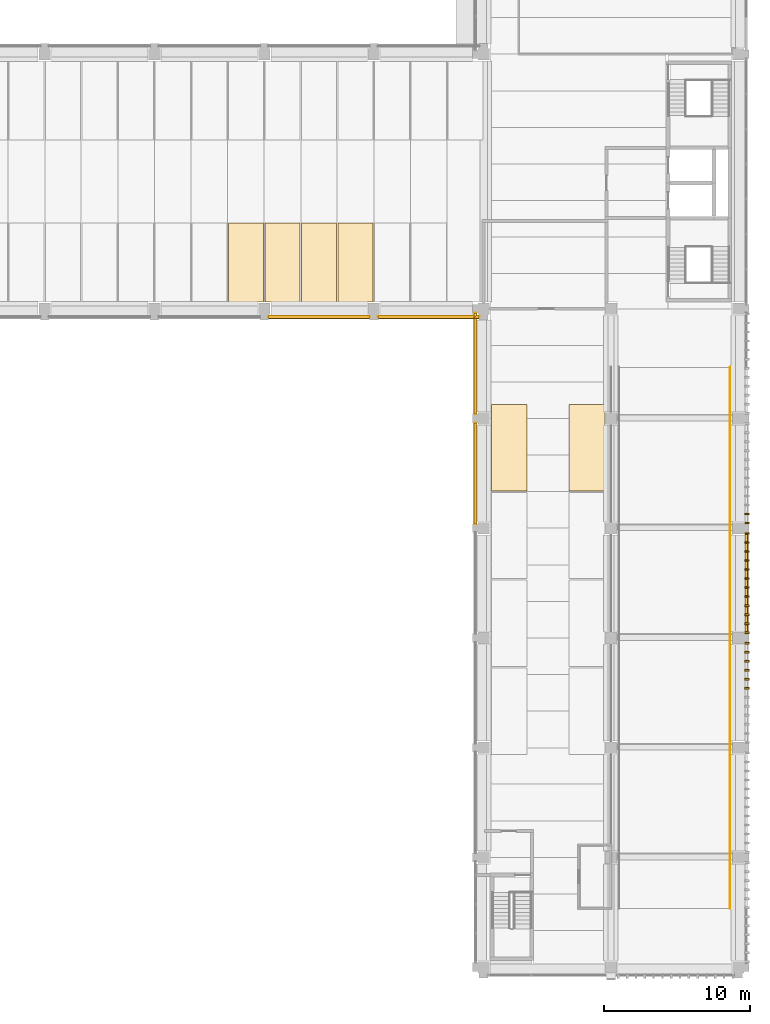
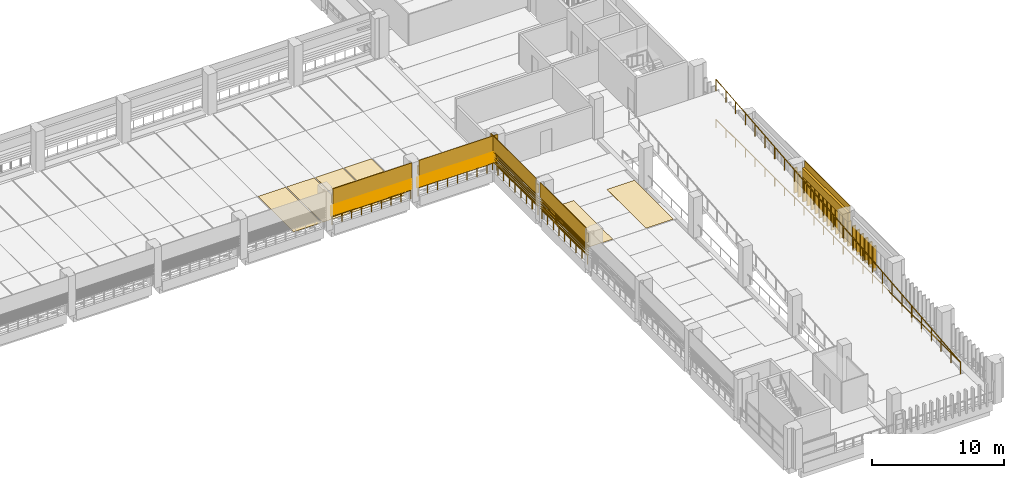
# One storey, part 53 of 61: 31 coverings, 20 shading devices, 6 railings.
"""IFC4 building model written with IfcOpenShell, lengths in metres."""

from ifc_helpers import new_model, si_unit, direction, frame, origin, origin_2d, place, context, subcontext, project, spatial, polyline, circle, outline, extrude, material, layer, layer_set, type_object, element, save


model = new_model("IFC4")

# Units and contexts
model_context = context("Model", 3, precision=1e-05, world=origin(), true_north=direction((0.0, 1.0)))
body_context = subcontext(model_context, "Body", "Model", "MODEL_VIEW")
ifc_project = project(units=[si_unit("LENGTHUNIT", "METRE"), si_unit("AREAUNIT", "SQUARE_METRE"), si_unit("VOLUMEUNIT", "CUBIC_METRE"), si_unit("PLANEANGLEUNIT", "RADIAN"), si_unit("MASSUNIT", "GRAM", prefix="KILO")], contexts=[model_context])

# Site, building, storey
site_placement = place(None, origin())
site = spatial("IfcSite", under=ifc_project, at=site_placement, CompositionType="ELEMENT")
building_placement = place(site_placement, origin())
building = spatial("IfcBuilding", under=site, at=building_placement, Name="Cour d'Honneur Mobility Palace", CompositionType="ELEMENT")
storey_placement = place(building_placement, frame((0.0, 0.0, 11.89990234375)))
storey = spatial("IfcBuildingStorey", under=building, at=storey_placement, Name="L03", CompositionType="ELEMENT", Elevation=11.89990234375)

# Railings
ifc_material_1 = material(Name="Painted steel", Category="steel")
railing_type_1 = type_object("IfcRailingType", Name="Balustrade", PredefinedType="BALUSTRADE", material=ifc_material_1)
for number, where, name in (
    (1, (130.199951171875, 44.449951171875, 0.300048828125), "Balustrade BAL-151"),
    (2, (137.699951171875, 44.449951171875, 0.300048828125), "Balustrade BAL-152"),
):
    element("IfcRailing", number, at=place(storey_placement, frame(where)), inside=storey, type_object=railing_type_1, Name=name, PredefinedType="BALUSTRADE", context=body_context, shape_type="SweptSolid", body=[
        extrude(circle(Radius=0.02392578125, at=origin_2d()), frame((0.0, 0.0, 0.77587890625), z_axis=(1.0, 0.0, 0.0), x_axis=(0.0, 1.0, 0.0)), (0.0, 0.0, 1.0), 6.900146484375),
        extrude(circle(Radius=0.02099609375, at=origin_2d()), origin(), (0.0, 0.0, 1.0), 0.751953125),
        extrude(circle(Radius=0.02099609375, at=origin_2d()), frame((0.862548828125, 0.0, 0.0)), (0.0, 0.0, 1.0), 0.751953125),
        extrude(circle(Radius=0.02099609375, at=origin_2d()), frame((1.72509765625, 0.0, 0.0)), (0.0, 0.0, 1.0), 0.751953125),
        extrude(circle(Radius=0.02099609375, at=origin_2d()), frame((2.587646484375, 0.0, 0.0)), (0.0, 0.0, 1.0), 0.751953125),
        extrude(circle(Radius=0.02099609375, at=origin_2d()), frame((3.4501953125, 0.0, 0.0)), (0.0, 0.0, 1.0), 0.751953125),
        extrude(circle(Radius=0.02099609375, at=origin_2d()), frame((4.3125, 0.0, 0.0)), (0.0, 0.0, 1.0), 0.751953125),
        extrude(circle(Radius=0.02099609375, at=origin_2d()), frame((5.175048828125, 0.0, 0.0)), (0.0, 0.0, 1.0), 0.751953125),
        extrude(circle(Radius=0.02099609375, at=origin_2d()), frame((6.03759765625, 0.0, 0.0)), (0.0, 0.0, 1.0), 0.751953125),
        extrude(circle(Radius=0.02099609375, at=origin_2d()), frame((6.900146484375, 0.0, 0.0)), (0.0, 0.0, 1.0), 0.751953125),
    ])
for number, where, name in (
    (3, (144.35009765625, 44.699951171875, 0.300048828125), "Balustrade BAL-153"),
    (4, (144.35009765625, 37.199951171875, 0.300048828125), "Balustrade BAL-154"),
):
    element("IfcRailing", number, at=place(storey_placement, frame(where)), inside=storey, type_object=railing_type_1, Name=name, PredefinedType="BALUSTRADE", context=body_context, shape_type="SweptSolid", body=[
        extrude(circle(Radius=0.02392578125, at=origin_2d()), frame((0.0, 0.0, 0.77587890625), z_axis=(0.0, -1.0, 0.0), x_axis=(1.0, 0.0, 0.0)), (0.0, 0.0, 1.0), 6.89990234375),
        extrude(circle(Radius=0.02099609375, at=origin_2d()), origin(), (0.0, 0.0, 1.0), 0.751953125),
        extrude(circle(Radius=0.02099609375, at=origin_2d()), frame((0.0, -0.862548828125, 0.0)), (0.0, 0.0, 1.0), 0.751953125),
        extrude(circle(Radius=0.02099609375, at=origin_2d()), frame((0.0, -1.72509765625, 0.0)), (0.0, 0.0, 1.0), 0.751953125),
        extrude(circle(Radius=0.02099609375, at=origin_2d()), frame((0.0, -2.58740234375, 0.0)), (0.0, 0.0, 1.0), 0.751953125),
        extrude(circle(Radius=0.02099609375, at=origin_2d()), frame((0.0, -3.449951171875, 0.0)), (0.0, 0.0, 1.0), 0.751953125),
        extrude(circle(Radius=0.02099609375, at=origin_2d()), frame((0.0, -4.3125, 0.0)), (0.0, 0.0, 1.0), 0.751953125),
        extrude(circle(Radius=0.02099609375, at=origin_2d()), frame((0.0, -5.1748046875, 0.0)), (0.0, 0.0, 1.0), 0.751953125),
        extrude(circle(Radius=0.02099609375, at=origin_2d()), frame((0.0, -6.037353515625, 0.0)), (0.0, 0.0, 1.0), 0.751953125),
        extrude(circle(Radius=0.02099609375, at=origin_2d()), frame((0.0, -6.89990234375, 0.0)), (0.0, 0.0, 1.0), 0.751953125),
    ])

# Coverings
ifc_material_2 = material(Name="Parking marking paint")
ifc_layer_1 = layer(ifc_material_2, 0.0048828125)
ifc_layer_set_1 = layer_set([ifc_layer_1], Name="Parking marking paint")
covering_type_1 = type_object("IfcCoveringType", Name="Parking bay marking", PredefinedType="FLOORING", material=ifc_layer_set_1)
covering_1_placement = place(storey_placement, origin())
element("IfcCovering", 5, at=covering_1_placement, inside=storey, type_object=covering_type_1, Name="Parking bay marking L03 67", PredefinedType="FLOORING", context=body_context, shape_type="SweptSolid", body=[
    extrude(outline(polyline([(129.85009765625, 45.449951171875), (127.449951171875, 45.449951171875), (127.449951171875, 50.85009765625), (129.85009765625, 50.85009765625), (129.85009765625, 45.449951171875)])), origin(), (0.0, 0.0, 1.0), 0.005126953125),
])
covering_2_placement = place(storey_placement, origin())
element("IfcCovering", 6, at=covering_2_placement, inside=storey, type_object=covering_type_1, Name="Parking bay marking L03 68", PredefinedType="FLOORING", context=body_context, shape_type="SweptSolid", body=[
    extrude(outline(polyline([(132.35009765625, 45.449951171875), (129.949951171875, 45.449951171875), (129.949951171875, 50.85009765625), (132.35009765625, 50.85009765625), (132.35009765625, 45.449951171875)])), origin(), (0.0, 0.0, 1.0), 0.005126953125),
])
covering_3_placement = place(storey_placement, origin())
element("IfcCovering", 7, at=covering_3_placement, inside=storey, type_object=covering_type_1, Name="Parking bay marking L03 69", PredefinedType="FLOORING", context=body_context, shape_type="SweptSolid", body=[
    extrude(outline(polyline([(134.85009765625, 45.449951171875), (132.449951171875, 45.449951171875), (132.449951171875, 50.85009765625), (134.85009765625, 50.85009765625), (134.85009765625, 45.449951171875)])), origin(), (0.0, 0.0, 1.0), 0.005126953125),
])
covering_4_placement = place(storey_placement, origin())
element("IfcCovering", 8, at=covering_4_placement, inside=storey, type_object=covering_type_1, Name="Parking bay marking L03 70", PredefinedType="FLOORING", context=body_context, shape_type="SweptSolid", body=[
    extrude(outline(polyline([(137.35009765625, 45.449951171875), (134.949951171875, 45.449951171875), (134.949951171875, 50.85009765625), (137.35009765625, 50.85009765625), (137.35009765625, 45.449951171875)])), origin(), (0.0, 0.0, 1.0), 0.005126953125),
])
covering_5_placement = place(storey_placement, origin())
element("IfcCovering", 9, at=covering_5_placement, inside=storey, type_object=covering_type_1, Name="Parking bay marking L03 81", PredefinedType="FLOORING", context=body_context, shape_type="SweptSolid", body=[
    extrude(outline(polyline([(153.14990234375, 32.550048828125), (150.75, 32.550048828125), (150.75, 38.449951171875), (153.14990234375, 38.449951171875), (153.14990234375, 32.550048828125)])), origin(), (0.0, 0.0, 1.0), 0.005126953125),
])
covering_6_placement = place(storey_placement, origin())
element("IfcCovering", 10, at=covering_6_placement, inside=storey, type_object=covering_type_1, Name="Parking bay marking L03 85", PredefinedType="FLOORING", context=body_context, shape_type="SweptSolid", body=[
    extrude(outline(polyline([(147.85009765625, 32.550048828125), (145.449951171875, 32.550048828125), (145.449951171875, 38.449951171875), (147.85009765625, 38.449951171875), (147.85009765625, 32.550048828125)])), origin(), (0.0, 0.0, 1.0), 0.005126953125),
])

# Railing
ifc_material_3 = material(Name="Painted steel", Category="steel")
railing_type_2 = type_object("IfcRailingType", Name="Ramp guard 1100", PredefinedType="GUARDRAIL", material=ifc_material_3)
railing_1_placement = place(storey_placement, frame((161.75, 4.0, 0.0)))
element("IfcRailing", 11, at=railing_1_placement, inside=storey, type_object=railing_type_2, Name="Ramp guard Ramp East 4", PredefinedType="GUARDRAIL", context=body_context, shape_type="SweptSolid", body=[
    extrude(circle(Radius=0.02490234375, at=origin_2d()), frame((0.0, 0.0, 1.0751953125), z_axis=(0.0, 0.995036670145, 0.099508919531), x_axis=(-1.0, 0.0, 0.0)), (0.0, 0.0, 1.0), 37.1845703125),
    extrude(circle(Radius=0.02099609375, at=origin_2d()), origin(), (0.0, 0.0, 1.0), 1.050048828125),
    extrude(circle(Radius=0.02099609375, at=origin_2d()), frame((0.0, 1.47998046875, 0.14794921875)), (0.0, 0.0, 1.0), 1.050048828125),
    extrude(circle(Radius=0.02099609375, at=origin_2d()), frame((0.0, 2.9599609375, 0.2958984375)), (0.0, 0.0, 1.0), 1.050048828125),
    extrude(circle(Radius=0.02099609375, at=origin_2d()), frame((0.0, 4.43994140625, 0.444091796875)), (0.0, 0.0, 1.0), 1.050048828125),
    extrude(circle(Radius=0.02099609375, at=origin_2d()), frame((0.0, 5.919921875, 0.592041015625)), (0.0, 0.0, 1.0), 1.050048828125),
    extrude(circle(Radius=0.02099609375, at=origin_2d()), frame((0.0, 7.39990234375, 0.739990234375)), (0.0, 0.0, 1.0), 1.050048828125),
    extrude(circle(Radius=0.02099609375, at=origin_2d()), frame((0.0, 8.8798828125, 0.887939453125)), (0.0, 0.0, 1.0), 1.050048828125),
    extrude(circle(Radius=0.02099609375, at=origin_2d()), frame((0.0, 10.360107421875, 1.0361328125)), (0.0, 0.0, 1.0), 1.050048828125),
    extrude(circle(Radius=0.02099609375, at=origin_2d()), frame((0.0, 11.840087890625, 1.18408203125)), (0.0, 0.0, 1.0), 1.050048828125),
    extrude(circle(Radius=0.02099609375, at=origin_2d()), frame((0.0, 13.320068359375, 1.33203125)), (0.0, 0.0, 1.0), 1.050048828125),
    extrude(circle(Radius=0.02099609375, at=origin_2d()), frame((0.0, 14.800048828125, 1.47998046875)), (0.0, 0.0, 1.0), 1.050048828125),
    extrude(circle(Radius=0.02099609375, at=origin_2d()), frame((0.0, 16.280029296875, 1.628173828125)), (0.0, 0.0, 1.0), 1.050048828125),
    extrude(circle(Radius=0.02099609375, at=origin_2d()), frame((0.0, 17.760009765625, 1.776123046875)), (0.0, 0.0, 1.0), 1.050048828125),
    extrude(circle(Radius=0.02099609375, at=origin_2d()), frame((0.0, 19.239990234375, 1.924072265625)), (0.0, 0.0, 1.0), 1.050048828125),
    extrude(circle(Radius=0.02099609375, at=origin_2d()), frame((0.0, 20.719970703125, 2.072021484375)), (0.0, 0.0, 1.0), 1.050048828125),
    extrude(circle(Radius=0.02099609375, at=origin_2d()), frame((0.0, 22.199951171875, 2.22021484375)), (0.0, 0.0, 1.0), 1.050048828125),
    extrude(circle(Radius=0.02099609375, at=origin_2d()), frame((0.0, 23.679931640625, 2.3681640625)), (0.0, 0.0, 1.0), 1.050048828125),
    extrude(circle(Radius=0.02099609375, at=origin_2d()), frame((0.0, 25.159912109375, 2.51611328125)), (0.0, 0.0, 1.0), 1.050048828125),
    extrude(circle(Radius=0.02099609375, at=origin_2d()), frame((0.0, 26.639892578125, 2.6640625)), (0.0, 0.0, 1.0), 1.050048828125),
    extrude(circle(Radius=0.02099609375, at=origin_2d()), frame((0.0, 28.1201171875, 2.812255859375)), (0.0, 0.0, 1.0), 1.050048828125),
    extrude(circle(Radius=0.02099609375, at=origin_2d()), frame((0.0, 29.60009765625, 2.960205078125)), (0.0, 0.0, 1.0), 1.050048828125),
    extrude(circle(Radius=0.02099609375, at=origin_2d()), frame((0.0, 31.080078125, 3.108154296875)), (0.0, 0.0, 1.0), 1.050048828125),
    extrude(circle(Radius=0.02099609375, at=origin_2d()), frame((0.0, 32.56005859375, 3.256103515625)), (0.0, 0.0, 1.0), 1.050048828125),
    extrude(circle(Radius=0.02099609375, at=origin_2d()), frame((0.0, 34.0400390625, 3.404296875)), (0.0, 0.0, 1.0), 1.050048828125),
    extrude(circle(Radius=0.02099609375, at=origin_2d()), frame((0.0, 35.52001953125, 3.55224609375)), (0.0, 0.0, 1.0), 1.050048828125),
    extrude(circle(Radius=0.02099609375, at=origin_2d()), frame((0.0, 37.0, 3.7001953125)), (0.0, 0.0, 1.0), 1.050048828125),
])

# Coverings
ifc_material_4 = material(Name="Cast limestone", Category="masonry")
ifc_layer_2 = layer(ifc_material_4, 0.1201171875)
ifc_layer_set_2 = layer_set([ifc_layer_2], Name="Cast limestone")
covering_type_2 = type_object("IfcCoveringType", Name="Ramp screen fin", PredefinedType="CLADDING", material=ifc_layer_set_2)
covering_7_placement = place(storey_placement, origin())
element("IfcCovering", 12, at=covering_7_placement, inside=storey, type_object=covering_type_2, Name="Ramp screen fin E5.2 L03 7", PredefinedType="CLADDING", context=body_context, shape_type="SweptSolid", body=[
    extrude(outline(polyline([(162.75, 18.998291015625), (162.75, 19.1181640625), (163.050048828125, 19.1181640625), (163.050048828125, 18.998291015625), (162.75, 18.998291015625)])), origin(), (0.0, 0.0, 1.0), 2.300048828125),
])
covering_8_placement = place(storey_placement, origin())
element("IfcCovering", 13, at=covering_8_placement, inside=storey, type_object=covering_type_2, Name="Ramp screen fin E5.2 L03 8", PredefinedType="CLADDING", context=body_context, shape_type="SweptSolid", body=[
    extrude(outline(polyline([(162.75, 19.614501953125), (162.75, 19.734619140625), (163.050048828125, 19.734619140625), (163.050048828125, 19.614501953125), (162.75, 19.614501953125)])), origin(), (0.0, 0.0, 1.0), 2.300048828125),
])
covering_9_placement = place(storey_placement, origin())
element("IfcCovering", 14, at=covering_9_placement, inside=storey, type_object=covering_type_2, Name="Ramp screen fin E5.2 L03 9", PredefinedType="CLADDING", context=body_context, shape_type="SweptSolid", body=[
    extrude(outline(polyline([(162.75, 20.23095703125), (162.75, 20.350830078125), (163.050048828125, 20.350830078125), (163.050048828125, 20.23095703125), (162.75, 20.23095703125)])), origin(), (0.0, 0.0, 1.0), 2.300048828125),
])
covering_10_placement = place(storey_placement, origin())
element("IfcCovering", 15, at=covering_10_placement, inside=storey, type_object=covering_type_2, Name="Ramp screen fin E5.2 L03 10", PredefinedType="CLADDING", context=body_context, shape_type="SweptSolid", body=[
    extrude(outline(polyline([(162.75, 20.84716796875), (162.75, 20.96728515625), (163.050048828125, 20.96728515625), (163.050048828125, 20.84716796875), (162.75, 20.84716796875)])), origin(), (0.0, 0.0, 1.0), 2.300048828125),
])
covering_11_placement = place(storey_placement, origin())
element("IfcCovering", 16, at=covering_11_placement, inside=storey, type_object=covering_type_2, Name="Ramp screen fin E5.2 L03 11", PredefinedType="CLADDING", context=body_context, shape_type="SweptSolid", body=[
    extrude(outline(polyline([(162.75, 21.463623046875), (162.75, 21.583740234375), (163.050048828125, 21.583740234375), (163.050048828125, 21.463623046875), (162.75, 21.463623046875)])), origin(), (0.0, 0.0, 1.0), 2.300048828125),
])
covering_12_placement = place(storey_placement, origin())
element("IfcCovering", 17, at=covering_12_placement, inside=storey, type_object=covering_type_2, Name="Ramp screen fin E5.2 L03 12", PredefinedType="CLADDING", context=body_context, shape_type="SweptSolid", body=[
    extrude(outline(polyline([(162.75, 22.080078125), (162.75, 22.199951171875), (163.050048828125, 22.199951171875), (163.050048828125, 22.080078125), (162.75, 22.080078125)])), origin(), (0.0, 0.0, 1.0), 2.300048828125),
])
covering_13_placement = place(storey_placement, origin())
element("IfcCovering", 18, at=covering_13_placement, inside=storey, type_object=covering_type_2, Name="Ramp screen fin E5.3 L03 1", PredefinedType="CLADDING", context=body_context, shape_type="SweptSolid", body=[
    extrude(outline(polyline([(162.75, 22.800048828125), (162.75, 22.919921875), (163.050048828125, 22.919921875), (163.050048828125, 22.800048828125), (162.75, 22.800048828125)])), origin(), (0.0, 0.0, 1.0), 2.300048828125),
])
covering_14_placement = place(storey_placement, origin())
element("IfcCovering", 19, at=covering_14_placement, inside=storey, type_object=covering_type_2, Name="Ramp screen fin E5.3 L03 2", PredefinedType="CLADDING", context=body_context, shape_type="SweptSolid", body=[
    extrude(outline(polyline([(162.75, 23.416259765625), (162.75, 23.536376953125), (163.050048828125, 23.536376953125), (163.050048828125, 23.416259765625), (162.75, 23.416259765625)])), origin(), (0.0, 0.0, 1.0), 2.300048828125),
])
covering_15_placement = place(storey_placement, origin())
element("IfcCovering", 20, at=covering_15_placement, inside=storey, type_object=covering_type_2, Name="Ramp screen fin E5.3 L03 3", PredefinedType="CLADDING", context=body_context, shape_type="SweptSolid", body=[
    extrude(outline(polyline([(162.75, 24.03271484375), (162.75, 24.15283203125), (163.050048828125, 24.15283203125), (163.050048828125, 24.03271484375), (162.75, 24.03271484375)])), origin(), (0.0, 0.0, 1.0), 2.300048828125),
])
covering_16_placement = place(storey_placement, origin())
element("IfcCovering", 21, at=covering_16_placement, inside=storey, type_object=covering_type_2, Name="Ramp screen fin E5.3 L03 4", PredefinedType="CLADDING", context=body_context, shape_type="SweptSolid", body=[
    extrude(outline(polyline([(162.75, 24.649169921875), (162.75, 24.76904296875), (163.050048828125, 24.76904296875), (163.050048828125, 24.649169921875), (162.75, 24.649169921875)])), origin(), (0.0, 0.0, 1.0), 2.300048828125),
])
covering_17_placement = place(storey_placement, origin())
element("IfcCovering", 22, at=covering_17_placement, inside=storey, type_object=covering_type_2, Name="Ramp screen fin E5.3 L03 5", PredefinedType="CLADDING", context=body_context, shape_type="SweptSolid", body=[
    extrude(outline(polyline([(162.75, 25.265380859375), (162.75, 25.385498046875), (163.050048828125, 25.385498046875), (163.050048828125, 25.265380859375), (162.75, 25.265380859375)])), origin(), (0.0, 0.0, 1.0), 2.300048828125),
])
covering_18_placement = place(storey_placement, origin())
element("IfcCovering", 23, at=covering_18_placement, inside=storey, type_object=covering_type_2, Name="Ramp screen fin E5.3 L03 6", PredefinedType="CLADDING", context=body_context, shape_type="SweptSolid", body=[
    extrude(outline(polyline([(162.75, 25.8818359375), (162.75, 26.001708984375), (163.050048828125, 26.001708984375), (163.050048828125, 25.8818359375), (162.75, 25.8818359375)])), origin(), (0.0, 0.0, 1.0), 2.300048828125),
])
covering_19_placement = place(storey_placement, origin())
element("IfcCovering", 24, at=covering_19_placement, inside=storey, type_object=covering_type_2, Name="Ramp screen fin E5.3 L03 7", PredefinedType="CLADDING", context=body_context, shape_type="SweptSolid", body=[
    extrude(outline(polyline([(162.75, 26.498291015625), (162.75, 26.6181640625), (163.050048828125, 26.6181640625), (163.050048828125, 26.498291015625), (162.75, 26.498291015625)])), origin(), (0.0, 0.0, 1.0), 2.300048828125),
])
covering_20_placement = place(storey_placement, origin())
element("IfcCovering", 25, at=covering_20_placement, inside=storey, type_object=covering_type_2, Name="Ramp screen fin E5.3 L03 8", PredefinedType="CLADDING", context=body_context, shape_type="SweptSolid", body=[
    extrude(outline(polyline([(162.75, 27.114501953125), (162.75, 27.234619140625), (163.050048828125, 27.234619140625), (163.050048828125, 27.114501953125), (162.75, 27.114501953125)])), origin(), (0.0, 0.0, 1.0), 2.300048828125),
])
covering_21_placement = place(storey_placement, origin())
element("IfcCovering", 26, at=covering_21_placement, inside=storey, type_object=covering_type_2, Name="Ramp screen fin E5.3 L03 9", PredefinedType="CLADDING", context=body_context, shape_type="SweptSolid", body=[
    extrude(outline(polyline([(162.75, 27.73095703125), (162.75, 27.850830078125), (163.050048828125, 27.850830078125), (163.050048828125, 27.73095703125), (162.75, 27.73095703125)])), origin(), (0.0, 0.0, 1.0), 2.300048828125),
])
covering_22_placement = place(storey_placement, origin())
element("IfcCovering", 27, at=covering_22_placement, inside=storey, type_object=covering_type_2, Name="Ramp screen fin E5.3 L03 10", PredefinedType="CLADDING", context=body_context, shape_type="SweptSolid", body=[
    extrude(outline(polyline([(162.75, 28.34716796875), (162.75, 28.46728515625), (163.050048828125, 28.46728515625), (163.050048828125, 28.34716796875), (162.75, 28.34716796875)])), origin(), (0.0, 0.0, 1.0), 2.300048828125),
])
covering_23_placement = place(storey_placement, origin())
element("IfcCovering", 28, at=covering_23_placement, inside=storey, type_object=covering_type_2, Name="Ramp screen fin E5.3 L03 11", PredefinedType="CLADDING", context=body_context, shape_type="SweptSolid", body=[
    extrude(outline(polyline([(162.75, 28.963623046875), (162.75, 29.083740234375), (163.050048828125, 29.083740234375), (163.050048828125, 28.963623046875), (162.75, 28.963623046875)])), origin(), (0.0, 0.0, 1.0), 2.300048828125),
])
covering_24_placement = place(storey_placement, origin())
element("IfcCovering", 29, at=covering_24_placement, inside=storey, type_object=covering_type_2, Name="Ramp screen fin E5.3 L03 12", PredefinedType="CLADDING", context=body_context, shape_type="SweptSolid", body=[
    extrude(outline(polyline([(162.75, 29.580078125), (162.75, 29.699951171875), (163.050048828125, 29.699951171875), (163.050048828125, 29.580078125), (162.75, 29.580078125)])), origin(), (0.0, 0.0, 1.0), 2.300048828125),
])
covering_25_placement = place(storey_placement, origin())
element("IfcCovering", 30, at=covering_25_placement, inside=storey, type_object=covering_type_2, Name="Ramp screen fin E5.4 L03 1", PredefinedType="CLADDING", context=body_context, shape_type="SweptSolid", body=[
    extrude(outline(polyline([(162.75, 30.300048828125), (162.75, 30.419921875), (163.050048828125, 30.419921875), (163.050048828125, 30.300048828125), (162.75, 30.300048828125)])), origin(), (0.0, 0.0, 1.0), 2.300048828125),
])
covering_26_placement = place(storey_placement, origin())
element("IfcCovering", 31, at=covering_26_placement, inside=storey, type_object=covering_type_2, Name="Ramp screen fin E5.4 L03 2", PredefinedType="CLADDING", context=body_context, shape_type="SweptSolid", body=[
    extrude(outline(polyline([(162.75, 30.916259765625), (162.75, 31.036376953125), (163.050048828125, 31.036376953125), (163.050048828125, 30.916259765625), (162.75, 30.916259765625)])), origin(), (0.0, 0.0, 1.0), 2.300048828125),
])
ifc_material_5 = material(Name="Cast limestone", Category="masonry")
ifc_layer_3 = layer(ifc_material_5, 0.25)
ifc_layer_set_3 = layer_set([ifc_layer_3], Name="Cast limestone")
covering_type_3 = type_object("IfcCoveringType", Name="Spandrel cladding", PredefinedType="CLADDING", material=ifc_layer_set_3)
for number, where, z_axis, x_axis, name in (
    (32, (130.199951171875, 44.550048828125, 2.300048828125), (-1.0, 0.0, 0.0), (0.0, -1.0, 0.0), "Spandrel cladding SK-223"),
    (33, (137.699951171875, 44.550048828125, 2.300048828125), (-1.0, 0.0, 0.0), (0.0, -1.0, 0.0), "Spandrel cladding SK-224"),
    (34, (144.449951171875, 44.699951171875, 2.300048828125), (0.0, 1.0, 0.0), (-1.0, 0.0, 0.0), "Spandrel cladding SK-225"),
    (35, (144.449951171875, 37.199951171875, 2.300048828125), (0.0, 1.0, 0.0), (-1.0, 0.0, 0.0), "Spandrel cladding SK-226"),
    (36, (162.75, 22.800048828125, 2.300048828125), (0.0, -1.0, 0.0), (1.0, 0.0, 0.0), "Spandrel cladding SK-231"),
):
    element("IfcCovering", number, at=place(storey_placement, frame(where, z_axis=z_axis, x_axis=x_axis)), inside=storey, type_object=covering_type_3, Name=name, PredefinedType="CLADDING", context=body_context, shape_type="SweptSolid", body=[
        extrude(outline(polyline([(0.0, 0.0), (0.25, 0.0), (0.25, 1.400146484375), (0.199951171875, 1.400146484375), (0.199951171875, 0.800048828125), (0.0, 0.800048828125), (0.0, 0.0)])), origin(), (0.0, 0.0, -1.0), 6.89990234375),
    ])

# Shading devices
ifc_material_6 = material(Name="Terracotta", Category="masonry")
ifc_layer_4 = layer(ifc_material_6, 0.02490234375)
ifc_layer_set_4 = layer_set([ifc_layer_4], Name="Terracotta")
shading_device_type = type_object("IfcShadingDeviceType", Name="Terracotta louvre blade", PredefinedType="JALOUSIE", material=ifc_layer_set_4)
for number, where, z_axis, x_axis, name in (
    (37, (144.4560546875, 44.699951171875, 1.10009765625), (0.707106781187, 0.0, 0.707106781187), (0.0, -1.0, 0.0), "Louvre blade LV-1 W3.0 L03 1"),
    (38, (144.4560546875, 44.699951171875, 1.312255859375), (0.707106781187, 0.0, 0.707106781187), (0.0, -1.0, 0.0), "Louvre blade LV-1 W3.0 L03 2"),
    (39, (144.4560546875, 44.699951171875, 1.5244140625), (0.707106781187, 0.0, 0.707106781187), (0.0, -1.0, 0.0), "Louvre blade LV-1 W3.0 L03 3"),
    (40, (144.4560546875, 44.699951171875, 1.736572265625), (0.707106781187, 0.0, 0.707106781187), (0.0, -1.0, 0.0), "Louvre blade LV-1 W3.0 L03 4"),
):
    element("IfcShadingDevice", number, at=place(storey_placement, frame(where, z_axis=z_axis, x_axis=x_axis)), inside=storey, type_object=shading_device_type, Name=name, PredefinedType="JALOUSIE", context=body_context, shape_type="SweptSolid", body=[
        extrude(outline(polyline([(0.0, 0.0), (6.89990234375, 0.0), (6.89990234375, -0.300037008228081), (0.0, -0.300037008228081), (0.0, 0.0)])), origin(), (0.0, 0.0, -1.0), 0.02490234375),
    ])
shading_device_1_placement = place(storey_placement, frame((144.4560546875, 44.699951171875, 1.94873046875), z_axis=(0.706699578995, 0.0, 0.707513749017), x_axis=(0.0, -1.0, 0.0)))
element("IfcShadingDevice", 41, at=shading_device_1_placement, inside=storey, type_object=shading_device_type, Name="Louvre blade LV-1 W3.0 L03 5", PredefinedType="JALOUSIE", context=body_context, shape_type="SweptSolid", body=[
    extrude(outline(polyline([(0.0, 0.0), (6.89990234375, 0.0), (6.89990234375, -0.29986442442957895), (0.0, -0.29986442442957895), (0.0, 0.0)])), origin(), (0.0, 0.0, -1.0), 0.02490234375),
])
for number, where, z_axis, x_axis, name in (
    (42, (144.4560546875, 37.199951171875, 1.10009765625), (0.707106781187, 0.0, 0.707106781187), (0.0, -1.0, 0.0), "Louvre blade LV-1 W3.1 L03 1"),
    (43, (144.4560546875, 37.199951171875, 1.312255859375), (0.707106781187, 0.0, 0.707106781187), (0.0, -1.0, 0.0), "Louvre blade LV-1 W3.1 L03 2"),
    (44, (144.4560546875, 37.199951171875, 1.5244140625), (0.707106781187, 0.0, 0.707106781187), (0.0, -1.0, 0.0), "Louvre blade LV-1 W3.1 L03 3"),
    (45, (144.4560546875, 37.199951171875, 1.736572265625), (0.707106781187, 0.0, 0.707106781187), (0.0, -1.0, 0.0), "Louvre blade LV-1 W3.1 L03 4"),
):
    element("IfcShadingDevice", number, at=place(storey_placement, frame(where, z_axis=z_axis, x_axis=x_axis)), inside=storey, type_object=shading_device_type, Name=name, PredefinedType="JALOUSIE", context=body_context, shape_type="SweptSolid", body=[
        extrude(outline(polyline([(0.0, 0.0), (6.89990234375, 0.0), (6.89990234375, -0.300037008228081), (0.0, -0.300037008228081), (0.0, 0.0)])), origin(), (0.0, 0.0, -1.0), 0.02490234375),
    ])
shading_device_2_placement = place(storey_placement, frame((144.4560546875, 37.199951171875, 1.94873046875), z_axis=(0.706699578995, 0.0, 0.707513749017), x_axis=(0.0, -1.0, 0.0)))
element("IfcShadingDevice", 46, at=shading_device_2_placement, inside=storey, type_object=shading_device_type, Name="Louvre blade LV-1 W3.1 L03 5", PredefinedType="JALOUSIE", context=body_context, shape_type="SweptSolid", body=[
    extrude(outline(polyline([(0.0, 0.0), (6.89990234375, 0.0), (6.89990234375, -0.29986442442957895), (0.0, -0.29986442442957895), (0.0, 0.0)])), origin(), (0.0, 0.0, -1.0), 0.02490234375),
])
for number, where, z_axis, x_axis, name in (
    (47, (130.199951171875, 44.55615234375, 1.10009765625), (0.0, 0.707106781187, 0.707106781187), (1.0, 0.0, 0.0), "Louvre blade LV-1 S2.15 L03 1"),
    (48, (130.199951171875, 44.55615234375, 1.312255859375), (0.0, 0.707106781187, 0.707106781187), (1.0, 0.0, 0.0), "Louvre blade LV-1 S2.15 L03 2"),
    (49, (130.199951171875, 44.55615234375, 1.5244140625), (0.0, 0.707106781187, 0.707106781187), (1.0, 0.0, 0.0), "Louvre blade LV-1 S2.15 L03 3"),
    (50, (130.199951171875, 44.55615234375, 1.736572265625), (0.0, 0.707106781187, 0.707106781187), (1.0, 0.0, 0.0), "Louvre blade LV-1 S2.15 L03 4"),
):
    element("IfcShadingDevice", number, at=place(storey_placement, frame(where, z_axis=z_axis, x_axis=x_axis)), inside=storey, type_object=shading_device_type, Name=name, PredefinedType="JALOUSIE", context=body_context, shape_type="SweptSolid", body=[
        extrude(outline(polyline([(0.0, 0.0), (6.900146484375, 0.0), (6.900146484375, -0.300037008228081), (0.0, -0.300037008228081), (0.0, 0.0)])), origin(), (0.0, 0.0, -1.0), 0.02490234375),
    ])
shading_device_3_placement = place(storey_placement, frame((130.199951171875, 44.55615234375, 1.94873046875), z_axis=(0.0, 0.706699578995, 0.707513749017), x_axis=(1.0, 0.0, 0.0)))
element("IfcShadingDevice", 51, at=shading_device_3_placement, inside=storey, type_object=shading_device_type, Name="Louvre blade LV-1 S2.15 L03 5", PredefinedType="JALOUSIE", context=body_context, shape_type="SweptSolid", body=[
    extrude(outline(polyline([(0.0, 0.0), (6.900146484375, 0.0), (6.900146484375, -0.29986442442957895), (0.0, -0.29986442442957895), (0.0, 0.0)])), origin(), (0.0, 0.0, -1.0), 0.02490234375),
])
for number, where, z_axis, x_axis, name in (
    (52, (137.699951171875, 44.55615234375, 1.10009765625), (0.0, 0.707106781187, 0.707106781187), (1.0, 0.0, 0.0), "Louvre blade LV-1 S2.16 L03 1"),
    (53, (137.699951171875, 44.55615234375, 1.312255859375), (0.0, 0.707106781187, 0.707106781187), (1.0, 0.0, 0.0), "Louvre blade LV-1 S2.16 L03 2"),
    (54, (137.699951171875, 44.55615234375, 1.5244140625), (0.0, 0.707106781187, 0.707106781187), (1.0, 0.0, 0.0), "Louvre blade LV-1 S2.16 L03 3"),
    (55, (137.699951171875, 44.55615234375, 1.736572265625), (0.0, 0.707106781187, 0.707106781187), (1.0, 0.0, 0.0), "Louvre blade LV-1 S2.16 L03 4"),
):
    element("IfcShadingDevice", number, at=place(storey_placement, frame(where, z_axis=z_axis, x_axis=x_axis)), inside=storey, type_object=shading_device_type, Name=name, PredefinedType="JALOUSIE", context=body_context, shape_type="SweptSolid", body=[
        extrude(outline(polyline([(0.0, 0.0), (6.900146484375, 0.0), (6.900146484375, -0.300037008228081), (0.0, -0.300037008228081), (0.0, 0.0)])), origin(), (0.0, 0.0, -1.0), 0.02490234375),
    ])
shading_device_4_placement = place(storey_placement, frame((137.699951171875, 44.55615234375, 1.94873046875), z_axis=(0.0, 0.706699578995, 0.707513749017), x_axis=(1.0, 0.0, 0.0)))
element("IfcShadingDevice", 56, at=shading_device_4_placement, inside=storey, type_object=shading_device_type, Name="Louvre blade LV-1 S2.16 L03 5", PredefinedType="JALOUSIE", context=body_context, shape_type="SweptSolid", body=[
    extrude(outline(polyline([(0.0, 0.0), (6.900146484375, 0.0), (6.900146484375, -0.29986442442957895), (0.0, -0.29986442442957895), (0.0, 0.0)])), origin(), (0.0, 0.0, -1.0), 0.02490234375),
])

# Railing
ifc_material_7 = material(Name="Painted steel", Category="steel")
railing_type_3 = type_object("IfcRailingType", Name="Void edge guard 1100", PredefinedType="GUARDRAIL", material=ifc_material_7)
railing_2_placement = place(storey_placement, frame((161.75, 4.0, 0.300048828125)))
element("IfcRailing", 57, at=railing_2_placement, inside=storey, type_object=railing_type_3, Name="Void edge guard SE L03", PredefinedType="GUARDRAIL", context=body_context, shape_type="SweptSolid", body=[
    extrude(circle(Radius=0.02490234375, at=origin_2d()), frame((0.0, 0.0, 0.77490234375), z_axis=(0.0, 1.0, 0.0), x_axis=(-1.0, 0.0, 0.0)), (0.0, 0.0, 1.0), 37.0),
    extrude(circle(Radius=0.02099609375, at=origin_2d()), origin(), (0.0, 0.0, 1.0), 0.75),
    extrude(circle(Radius=0.02099609375, at=origin_2d()), frame((0.0, 1.47998046875, 0.0)), (0.0, 0.0, 1.0), 0.75),
    extrude(circle(Radius=0.02099609375, at=origin_2d()), frame((0.0, 2.9599609375, 0.0)), (0.0, 0.0, 1.0), 0.75),
    extrude(circle(Radius=0.02099609375, at=origin_2d()), frame((0.0, 4.43994140625, 0.0)), (0.0, 0.0, 1.0), 0.75),
    extrude(circle(Radius=0.02099609375, at=origin_2d()), frame((0.0, 5.919921875, 0.0)), (0.0, 0.0, 1.0), 0.75),
    extrude(circle(Radius=0.02099609375, at=origin_2d()), frame((0.0, 7.39990234375, 0.0)), (0.0, 0.0, 1.0), 0.75),
    extrude(circle(Radius=0.02099609375, at=origin_2d()), frame((0.0, 8.8798828125, 0.0)), (0.0, 0.0, 1.0), 0.75),
    extrude(circle(Radius=0.02099609375, at=origin_2d()), frame((0.0, 10.360107421875, 0.0)), (0.0, 0.0, 1.0), 0.75),
    extrude(circle(Radius=0.02099609375, at=origin_2d()), frame((0.0, 11.840087890625, 0.0)), (0.0, 0.0, 1.0), 0.75),
    extrude(circle(Radius=0.02099609375, at=origin_2d()), frame((0.0, 13.320068359375, 0.0)), (0.0, 0.0, 1.0), 0.75),
    extrude(circle(Radius=0.02099609375, at=origin_2d()), frame((0.0, 14.800048828125, 0.0)), (0.0, 0.0, 1.0), 0.75),
    extrude(circle(Radius=0.02099609375, at=origin_2d()), frame((0.0, 16.280029296875, 0.0)), (0.0, 0.0, 1.0), 0.75),
    extrude(circle(Radius=0.02099609375, at=origin_2d()), frame((0.0, 17.760009765625, 0.0)), (0.0, 0.0, 1.0), 0.75),
    extrude(circle(Radius=0.02099609375, at=origin_2d()), frame((0.0, 19.239990234375, 0.0)), (0.0, 0.0, 1.0), 0.75),
    extrude(circle(Radius=0.02099609375, at=origin_2d()), frame((0.0, 20.719970703125, 0.0)), (0.0, 0.0, 1.0), 0.75),
    extrude(circle(Radius=0.02099609375, at=origin_2d()), frame((0.0, 22.199951171875, 0.0)), (0.0, 0.0, 1.0), 0.75),
    extrude(circle(Radius=0.02099609375, at=origin_2d()), frame((0.0, 23.679931640625, 0.0)), (0.0, 0.0, 1.0), 0.75),
    extrude(circle(Radius=0.02099609375, at=origin_2d()), frame((0.0, 25.159912109375, 0.0)), (0.0, 0.0, 1.0), 0.75),
    extrude(circle(Radius=0.02099609375, at=origin_2d()), frame((0.0, 26.639892578125, 0.0)), (0.0, 0.0, 1.0), 0.75),
    extrude(circle(Radius=0.02099609375, at=origin_2d()), frame((0.0, 28.1201171875, 0.0)), (0.0, 0.0, 1.0), 0.75),
    extrude(circle(Radius=0.02099609375, at=origin_2d()), frame((0.0, 29.60009765625, 0.0)), (0.0, 0.0, 1.0), 0.75),
    extrude(circle(Radius=0.02099609375, at=origin_2d()), frame((0.0, 31.080078125, 0.0)), (0.0, 0.0, 1.0), 0.75),
    extrude(circle(Radius=0.02099609375, at=origin_2d()), frame((0.0, 32.56005859375, 0.0)), (0.0, 0.0, 1.0), 0.75),
    extrude(circle(Radius=0.02099609375, at=origin_2d()), frame((0.0, 34.0400390625, 0.0)), (0.0, 0.0, 1.0), 0.75),
    extrude(circle(Radius=0.02099609375, at=origin_2d()), frame((0.0, 35.52001953125, 0.0)), (0.0, 0.0, 1.0), 0.75),
    extrude(circle(Radius=0.02099609375, at=origin_2d()), frame((0.0, 37.0, 0.0)), (0.0, 0.0, 1.0), 0.75),
])

save(model, "model.ifc")
